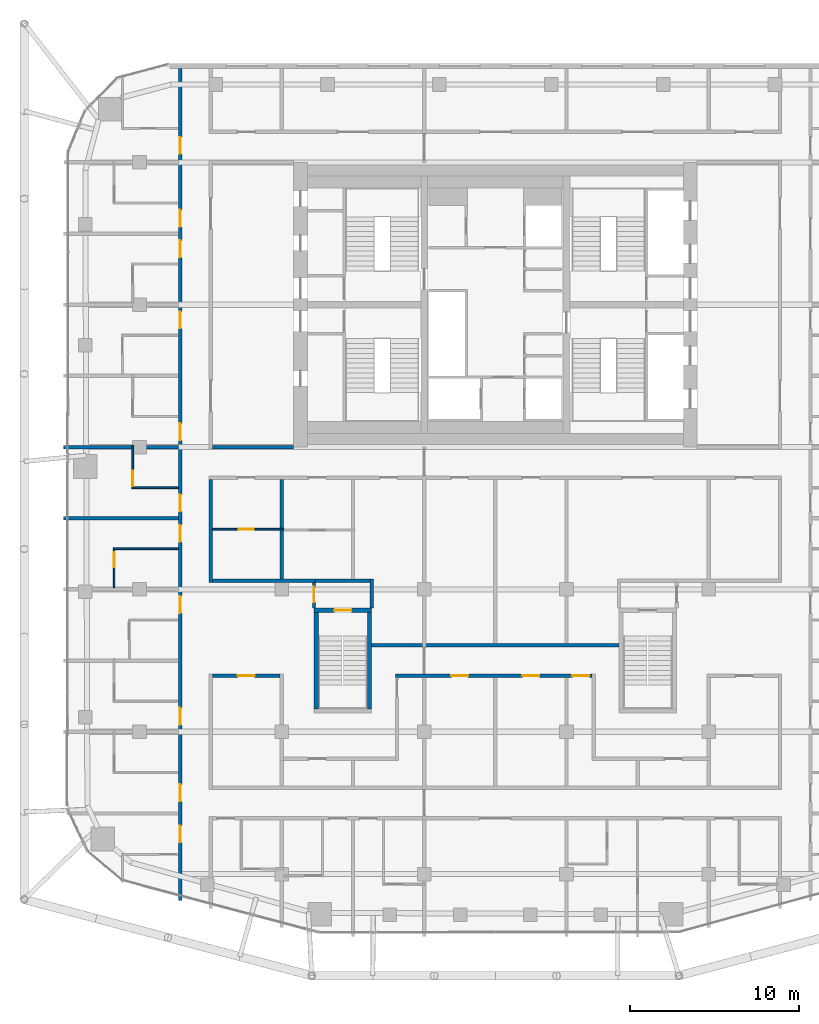
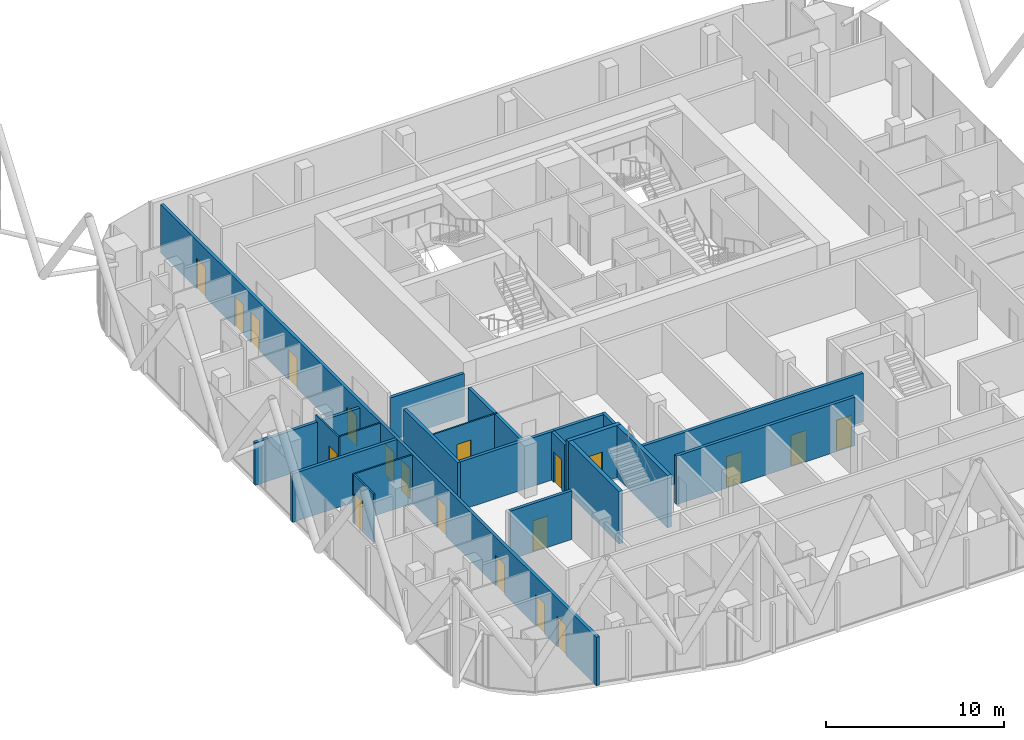
# One storey, part 24 of 31: 21 walls, 20 doors, 20 openings.
"""IFC4 building model written with IfcOpenShell, lengths in metres."""

from ifc_helpers import new_model, si_unit, direction, frame, frame_2d, origin, place, context, subcontext, project, spatial, rectangle, extrude, material, layer, layer_set, type_object, element, fill, save


model = new_model("IFC4")

# Units and contexts
model_context = context("Model", 3, precision=1e-05, world=origin(), true_north=direction((0.0, 1.0)))
body_context = subcontext(model_context, "Body", "Model", "MODEL_VIEW")
ifc_project = project(units=[si_unit("LENGTHUNIT", "METRE"), si_unit("AREAUNIT", "SQUARE_METRE"), si_unit("VOLUMEUNIT", "CUBIC_METRE"), si_unit("PLANEANGLEUNIT", "RADIAN"), si_unit("MASSUNIT", "GRAM", prefix="KILO")], contexts=[model_context])

# Site, building, storey
site_placement = place(None, origin())
site = spatial("IfcSite", under=ifc_project, at=site_placement, CompositionType="ELEMENT")
building_placement = place(site_placement, origin())
building = spatial("IfcBuilding", under=site, at=building_placement, Name="Marenta Gate Hotel Tower", CompositionType="ELEMENT")
storey_placement = place(building_placement, frame((0.0, 0.0, 191.300048828125)))
storey = spatial("IfcBuildingStorey", under=building, at=storey_placement, Name="L43", CompositionType="ELEMENT", Elevation=191.300048828125)

# Wall
ifc_material_1 = material(Name="Concrete blockwork", Category="masonry")
ifc_layer_1 = layer(ifc_material_1, 0.199951171875)
ifc_layer_set_1 = layer_set([ifc_layer_1], Name="Concrete blockwork")
wall_type_1 = type_object("IfcWallType", Name="Core boundary wall 200 REI 180", PredefinedType="PARTITIONING", material=ifc_layer_set_1)
wall_1_placement = place(storey_placement, frame((-16.699951171875, 0.0, 0.0), z_axis=(0.0, 0.0, 1.0), x_axis=(1.0, 0.0, 0.0)))
element("IfcWall", 1, at=wall_1_placement, inside=storey, type_object=wall_type_1, Name="L43-CP-EW-WS", PredefinedType="PARTITIONING", context=body_context, shape_type="SweptSolid", body=[
    extrude(rectangle(XDim=4.800048828125, YDim=0.199951171875, at=frame_2d((2.39990234375, 0.0))), origin(), (0.0, 0.0, 1.0), 2.93994140625),
])

# Wall, opening, door
ifc_material_2 = material(Name="Concrete C40", Category="concrete")
ifc_layer_2 = layer(ifc_material_2, 0.25)
ifc_layer_set_2 = layer_set([ifc_layer_2], Name="Concrete C40")
wall_type_2 = type_object("IfcWallType", Name="Remote stair enclosure wall 250 REI 180", PredefinedType="SHEAR", material=ifc_layer_set_2)
wall_2_placement = place(storey_placement, frame((-10.699951171875, -9.625, 0.099853515625), z_axis=(0.0, 0.0, 1.0), x_axis=(1.0, 0.0, 0.0)))
wall_2 = element("IfcWall", 2, at=wall_2_placement, inside=storey, type_object=wall_type_2, Name="L43-RS-Z3-1-W2", PredefinedType="SHEAR", context=body_context, shape_type="SweptSolid", body=[
    extrude(rectangle(XDim=3.39990234375, YDim=0.25, at=frame_2d((1.699951171875, 0.0))), origin(), (0.0, 0.0, 1.0), 3.60009765625),
])
opening_1_placement = place(wall_2_placement, frame((1.199951171875, 0.0, 0.0)))
opening_1 = element("IfcOpeningElement", 3, at=opening_1_placement, cuts=wall_2, Name="Opening VD", PredefinedType="OPENING", context=body_context, shape_type="SweptSolid", body=[
    extrude(rectangle(XDim=1.0, YDim=2.10009765625, at=frame_2d((0.5, 1.050048828125))), frame((0.0, 0.125, 0.0), z_axis=(0.0, -1.0, 0.0), x_axis=(1.0, 0.0, 0.0)), (0.0, 0.0, 1.0), 0.25),
])
ifc_material_3 = material(Name="Steel", Category="steel")
door_type_1 = type_object("IfcDoorType", Name="Stair vestibule door 1000x2100 FD60", OperationType="SINGLE_SWING_LEFT", PredefinedType="DOOR", material=ifc_material_3)
door_1_placement = place(opening_1_placement, origin())
door_1 = element("IfcDoor", 4, at=door_1_placement, inside=storey, type_object=door_type_1, Name="VD", OperationType="SINGLE_SWING_LEFT", OverallHeight=2.10009765625, OverallWidth=1.0, PredefinedType="DOOR", context=body_context, shape_type="SweptSolid", body=[
    extrude(rectangle(XDim=1.0, YDim=2.10009765625, at=frame_2d((0.5, 1.050048828125))), frame((0.0, 0.02490234375, 0.0), z_axis=(0.0, -1.0, 0.0), x_axis=(1.0, 0.0, 0.0)), (0.0, 0.0, 1.0), 0.050048828125),
])
fill(opening_1, door_1)

# Walls
for number, where, z_axis, x_axis, name in (
    (5, (-10.574951171875, -15.449951171875, 0.099853515625), (0.0, 0.0, 1.0), (0.0, 1.0, 0.0), "L43-RS-Z3-1-W3"),
    (6, (-7.425048828125, -15.449951171875, 0.099853515625), (0.0, 0.0, 1.0), (0.0, 1.0, 0.0), "L43-RS-Z3-1-W4"),
):
    element("IfcWall", number, at=place(storey_placement, frame(where, z_axis=z_axis, x_axis=x_axis)), inside=storey, type_object=wall_type_2, Name=name, PredefinedType="SHEAR", context=body_context, shape_type="SweptSolid", body=[
        extrude(rectangle(XDim=5.699951171875, YDim=0.25, at=frame_2d((2.85009765625, 0.0))), origin(), (0.0, 0.0, 1.0), 3.60009765625),
    ])
ifc_material_4 = material(Name="Concrete blockwork", Category="masonry")
ifc_layer_3 = layer(ifc_material_4, 0.199951171875)
ifc_layer_set_3 = layer_set([ifc_layer_3], Name="Concrete blockwork")
wall_type_3 = type_object("IfcWallType", Name="Room corridor wall 200 EI 120", PredefinedType="PARTITIONING", material=ifc_layer_set_3)
wall_3_placement = place(storey_placement, frame((-16.699951171875, -7.89990234375, 0.0), z_axis=(0.0, 0.0, 1.0), x_axis=(1.0, 0.0, 0.0)))
element("IfcWall", 7, at=wall_3_placement, inside=storey, type_object=wall_type_3, Name="L43-PTN-W053", PredefinedType="PARTITIONING", context=body_context, shape_type="SweptSolid", body=[
    extrude(rectangle(XDim=6.099853515625, YDim=0.199951171875, at=frame_2d((3.0498046875, 0.0))), origin(), (0.0, 0.0, 1.0), 3.33984375),
])

# Wall, opening, door
ifc_material_5 = material(Name="Gypsum board on steel stud", Category="steel")
ifc_layer_4 = layer(ifc_material_5, 0.199951171875)
ifc_layer_set_4 = layer_set([ifc_layer_4], Name="Gypsum board on steel stud")
wall_type_4 = type_object("IfcWallType", Name="Room corridor wall 200 EI 60", PredefinedType="PARTITIONING", material=ifc_layer_set_4)
wall_4_placement = place(storey_placement, frame((-16.699951171875, -13.5, 0.0), z_axis=(0.0, 0.0, 1.0), x_axis=(1.0, 0.0, 0.0)))
wall_4 = element("IfcWall", 8, at=wall_4_placement, inside=storey, type_object=wall_type_4, Name="L43-PTN-W035", PredefinedType="PARTITIONING", context=body_context, shape_type="SweptSolid", body=[
    extrude(rectangle(XDim=4.0, YDim=0.199951171875, at=frame_2d((2.0, 0.0))), origin(), (0.0, 0.0, 1.0), 3.33984375),
])
opening_2_placement = place(wall_4_placement, frame((1.5, 0.0, 0.0)))
opening_2 = element("IfcOpeningElement", 9, at=opening_2_placement, cuts=wall_4, Name="Opening G15-10", PredefinedType="OPENING", context=body_context, shape_type="SweptSolid", body=[
    extrude(rectangle(XDim=1.0, YDim=2.10009765625, at=frame_2d((0.5, 1.050048828125))), frame((0.0, 0.10009765625, 0.0), z_axis=(0.0, -1.0, 0.0), x_axis=(1.0, 0.0, 0.0)), (0.0, 0.0, 1.0), 0.199951171875),
])
ifc_material_6 = material(Name="Timber door leaf", Category="wood")
door_type_2 = type_object("IfcDoorType", Name="Room amenity door 1000x2100 EI 30", OperationType="NOTDEFINED", PredefinedType="DOOR", material=ifc_material_6)
door_2_placement = place(opening_2_placement, origin())
door_2 = element("IfcDoor", 10, at=door_2_placement, inside=storey, type_object=door_type_2, Name="L43-PD-D010", OperationType="SINGLE_SWING_RIGHT", OverallHeight=2.10009765625, OverallWidth=1.0, PredefinedType="DOOR", context=body_context, shape_type="SweptSolid", body=[
    extrude(rectangle(XDim=1.0, YDim=2.10009765625, at=frame_2d((0.5, 1.050048828125))), frame((0.0, 0.02490234375, 0.0), z_axis=(0.0, -1.0, 0.0), x_axis=(1.0, 0.0, 0.0)), (0.0, 0.0, 1.0), 0.050048828125),
])
fill(opening_2, door_2)

# Wall, openings, doors
wall_5_placement = place(storey_placement, frame((-5.89990234375, -13.5, 0.0), z_axis=(0.0, 0.0, 1.0), x_axis=(1.0, 0.0, 0.0)))
wall_5 = element("IfcWall", 11, at=wall_5_placement, inside=storey, type_object=wall_type_4, Name="L43-PTN-W036", PredefinedType="PARTITIONING", context=body_context, shape_type="SweptSolid", body=[
    extrude(rectangle(XDim=11.599853515625, YDim=0.199951171875, at=frame_2d((5.7998046875, 0.0))), origin(), (0.0, 0.0, 1.0), 3.33984375),
])
opening_3_placement = place(wall_5_placement, frame((3.300048828125, 0.0, 0.0)))
opening_3 = element("IfcOpeningElement", 12, at=opening_3_placement, cuts=wall_5, Name="Opening G15-13", PredefinedType="OPENING", context=body_context, shape_type="SweptSolid", body=[
    extrude(rectangle(XDim=1.0, YDim=2.10009765625, at=frame_2d((0.5, 1.050048828125))), frame((0.0, 0.10009765625, 0.0), z_axis=(0.0, -1.0, 0.0), x_axis=(1.0, 0.0, 0.0)), (0.0, 0.0, 1.0), 0.199951171875),
])
opening_4_placement = place(wall_5_placement, frame((7.5, 0.0, 0.0)))
opening_4 = element("IfcOpeningElement", 13, at=opening_4_placement, cuts=wall_5, Name="Opening G15-14", PredefinedType="OPENING", context=body_context, shape_type="SweptSolid", body=[
    extrude(rectangle(XDim=1.0, YDim=2.10009765625, at=frame_2d((0.5, 1.050048828125))), frame((0.0, 0.10009765625, 0.0), z_axis=(0.0, -1.0, 0.0), x_axis=(1.0, 0.0, 0.0)), (0.0, 0.0, 1.0), 0.199951171875),
])
opening_5_placement = place(wall_5_placement, frame((10.449951171875, 0.0, 0.0)))
opening_5 = element("IfcOpeningElement", 14, at=opening_5_placement, cuts=wall_5, Name="Opening G15-15", PredefinedType="OPENING", context=body_context, shape_type="SweptSolid", body=[
    extrude(rectangle(XDim=1.0, YDim=2.10009765625, at=frame_2d((0.5, 1.050048828125))), frame((0.0, 0.10009765625, 0.0), z_axis=(0.0, -1.0, 0.0), x_axis=(1.0, 0.0, 0.0)), (0.0, 0.0, 1.0), 0.199951171875),
])
door_3_placement = place(opening_3_placement, origin())
door_3 = element("IfcDoor", 15, at=door_3_placement, inside=storey, type_object=door_type_2, Name="L43-PD-D013", OperationType="SINGLE_SWING_LEFT", OverallHeight=2.10009765625, OverallWidth=1.0, PredefinedType="DOOR", context=body_context, shape_type="SweptSolid", body=[
    extrude(rectangle(XDim=1.0, YDim=2.10009765625, at=frame_2d((0.5, 1.050048828125))), frame((0.0, 0.02490234375, 0.0), z_axis=(0.0, -1.0, 0.0), x_axis=(1.0, 0.0, 0.0)), (0.0, 0.0, 1.0), 0.050048828125),
])
fill(opening_3, door_3)
door_4_placement = place(opening_4_placement, origin())
door_4 = element("IfcDoor", 16, at=door_4_placement, inside=storey, type_object=door_type_2, Name="L43-PD-D014", OperationType="SINGLE_SWING_RIGHT", OverallHeight=2.10009765625, OverallWidth=1.0, PredefinedType="DOOR", context=body_context, shape_type="SweptSolid", body=[
    extrude(rectangle(XDim=1.0, YDim=2.10009765625, at=frame_2d((0.5, 1.050048828125))), frame((0.0, 0.02490234375, 0.0), z_axis=(0.0, -1.0, 0.0), x_axis=(1.0, 0.0, 0.0)), (0.0, 0.0, 1.0), 0.050048828125),
])
fill(opening_4, door_4)
door_5_placement = place(opening_5_placement, origin())
door_5 = element("IfcDoor", 17, at=door_5_placement, inside=storey, type_object=door_type_2, Name="L43-PD-D015", OperationType="SINGLE_SWING_LEFT", OverallHeight=2.10009765625, OverallWidth=1.0, PredefinedType="DOOR", context=body_context, shape_type="SweptSolid", body=[
    extrude(rectangle(XDim=1.0, YDim=2.10009765625, at=frame_2d((0.5, 1.050048828125))), frame((0.0, 0.02490234375, 0.0), z_axis=(0.0, -1.0, 0.0), x_axis=(1.0, 0.0, 0.0)), (0.0, 0.0, 1.0), 0.050048828125),
])
fill(opening_5, door_5)

# Walls
wall_6_placement = place(storey_placement, frame((-7.300048828125, -11.699951171875, 0.0), z_axis=(0.0, 0.0, 1.0), x_axis=(1.0, 0.0, 0.0)))
element("IfcWall", 18, at=wall_6_placement, inside=storey, type_object=wall_type_4, Name="L43-PTN-W045", PredefinedType="PARTITIONING", context=body_context, shape_type="SweptSolid", body=[
    extrude(rectangle(XDim=14.60009765625, YDim=0.199951171875, at=frame_2d((7.300048828125, 0.0))), origin(), (0.0, 0.0, 1.0), 3.33984375),
])
wall_7_placement = place(storey_placement, frame((-16.800048828125, -8.0, 0.0), z_axis=(0.0, 0.0, 1.0), x_axis=(0.0, 1.0, 0.0)))
element("IfcWall", 19, at=wall_7_placement, inside=storey, type_object=wall_type_4, Name="L43-PTN-W108", PredefinedType="PARTITIONING", context=body_context, shape_type="SweptSolid", body=[
    extrude(rectangle(XDim=6.10009765625, YDim=0.199951171875, at=frame_2d((3.050048828125, 0.0))), origin(), (0.0, 0.0, 1.0), 3.33984375),
])

# Wall, openings, doors
wall_8_placement = place(storey_placement, frame((-18.60009765625, -26.7509765625, 0.0), z_axis=(0.0, 0.0, 1.0), x_axis=(0.0, 1.0, 0.0)))
wall_8 = element("IfcWall", 20, at=wall_8_placement, inside=storey, type_object=wall_type_4, Name="L43-PTN-W112", PredefinedType="PARTITIONING", context=body_context, shape_type="SweptSolid", body=[
    extrude(rectangle(XDim=49.091064453125, YDim=0.199951171875, at=frame_2d((24.54541015625, 0.0))), origin(), (0.0, 0.0, 1.0), 3.33984375),
])
opening_6_placement = place(wall_8_placement, frame((3.4130859375, 0.0, 0.0)))
opening_6 = element("IfcOpeningElement", 21, at=opening_6_placement, cuts=wall_8, Name="Opening G15-54", PredefinedType="OPENING", context=body_context, shape_type="SweptSolid", body=[
    extrude(rectangle(XDim=1.0, YDim=2.10009765625, at=frame_2d((0.5, 1.050048828125))), frame((0.0, 0.10009765625, 0.0), z_axis=(0.0, -1.0, 0.0), x_axis=(1.0, 0.0, 0.0)), (0.0, 0.0, 1.0), 0.199951171875),
])
opening_7_placement = place(wall_8_placement, frame((5.837890625, 0.0, 0.0)))
opening_7 = element("IfcOpeningElement", 22, at=opening_7_placement, cuts=wall_8, Name="Opening G15-56", PredefinedType="OPENING", context=body_context, shape_type="SweptSolid", body=[
    extrude(rectangle(XDim=1.0, YDim=2.10009765625, at=frame_2d((0.5, 1.050048828125))), frame((0.0, 0.10009765625, 0.0), z_axis=(0.0, -1.0, 0.0), x_axis=(1.0, 0.0, 0.0)), (0.0, 0.0, 1.0), 0.199951171875),
])
opening_8_placement = place(wall_8_placement, frame((10.35107421875, 0.0, 0.0)))
opening_8 = element("IfcOpeningElement", 23, at=opening_8_placement, cuts=wall_8, Name="Opening G15-58", PredefinedType="OPENING", context=body_context, shape_type="SweptSolid", body=[
    extrude(rectangle(XDim=1.0, YDim=2.10009765625, at=frame_2d((0.5, 1.050048828125))), frame((0.0, 0.10009765625, 0.0), z_axis=(0.0, -1.0, 0.0), x_axis=(1.0, 0.0, 0.0)), (0.0, 0.0, 1.0), 0.199951171875),
])
opening_9_placement = place(wall_8_placement, frame((16.950927734375, 0.0, 0.0)))
opening_9 = element("IfcOpeningElement", 24, at=opening_9_placement, cuts=wall_8, Name="Opening G15-60", PredefinedType="OPENING", context=body_context, shape_type="SweptSolid", body=[
    extrude(rectangle(XDim=1.0, YDim=2.10009765625, at=frame_2d((0.5, 1.050048828125))), frame((0.0, 0.10009765625, 0.0), z_axis=(0.0, -1.0, 0.0), x_axis=(1.0, 0.0, 0.0)), (0.0, 0.0, 1.0), 0.199951171875),
])
opening_10_placement = place(wall_8_placement, frame((21.15087890625, 0.0, 0.0)))
opening_10 = element("IfcOpeningElement", 25, at=opening_10_placement, cuts=wall_8, Name="Opening G15-62", PredefinedType="OPENING", context=body_context, shape_type="SweptSolid", body=[
    extrude(rectangle(XDim=1.0, YDim=2.10009765625, at=frame_2d((0.5, 1.050048828125))), frame((0.0, 0.10009765625, 0.0), z_axis=(0.0, -1.0, 0.0), x_axis=(1.0, 0.0, 0.0)), (0.0, 0.0, 1.0), 0.199951171875),
])
opening_11_placement = place(wall_8_placement, frame((22.950927734375, 0.0, 0.0)))
opening_11 = element("IfcOpeningElement", 26, at=opening_11_placement, cuts=wall_8, Name="Opening G15-64", PredefinedType="OPENING", context=body_context, shape_type="SweptSolid", body=[
    extrude(rectangle(XDim=1.0, YDim=2.10009765625, at=frame_2d((0.5, 1.050048828125))), frame((0.0, 0.10009765625, 0.0), z_axis=(0.0, -1.0, 0.0), x_axis=(1.0, 0.0, 0.0)), (0.0, 0.0, 1.0), 0.199951171875),
])
opening_12_placement = place(wall_8_placement, frame((27.15087890625, 0.0, 0.0)))
opening_12 = element("IfcOpeningElement", 27, at=opening_12_placement, cuts=wall_8, Name="Opening G15-66", PredefinedType="OPENING", context=body_context, shape_type="SweptSolid", body=[
    extrude(rectangle(XDim=1.0, YDim=2.10009765625, at=frame_2d((0.5, 1.050048828125))), frame((0.0, 0.10009765625, 0.0), z_axis=(0.0, -1.0, 0.0), x_axis=(1.0, 0.0, 0.0)), (0.0, 0.0, 1.0), 0.199951171875),
])
opening_13_placement = place(wall_8_placement, frame((33.7509765625, 0.0, 0.0)))
opening_13 = element("IfcOpeningElement", 28, at=opening_13_placement, cuts=wall_8, Name="Opening G15-68", PredefinedType="OPENING", context=body_context, shape_type="SweptSolid", body=[
    extrude(rectangle(XDim=1.0, YDim=2.10009765625, at=frame_2d((0.5, 1.050048828125))), frame((0.0, 0.10009765625, 0.0), z_axis=(0.0, -1.0, 0.0), x_axis=(1.0, 0.0, 0.0)), (0.0, 0.0, 1.0), 0.199951171875),
])
opening_14_placement = place(wall_8_placement, frame((37.950927734375, 0.0, 0.0)))
opening_14 = element("IfcOpeningElement", 29, at=opening_14_placement, cuts=wall_8, Name="Opening G15-70", PredefinedType="OPENING", context=body_context, shape_type="SweptSolid", body=[
    extrude(rectangle(XDim=1.0, YDim=2.10009765625, at=frame_2d((0.5, 1.050048828125))), frame((0.0, 0.10009765625, 0.0), z_axis=(0.0, -1.0, 0.0), x_axis=(1.0, 0.0, 0.0)), (0.0, 0.0, 1.0), 0.199951171875),
])
opening_15_placement = place(wall_8_placement, frame((39.7509765625, 0.0, 0.0)))
opening_15 = element("IfcOpeningElement", 30, at=opening_15_placement, cuts=wall_8, Name="Opening G15-72", PredefinedType="OPENING", context=body_context, shape_type="SweptSolid", body=[
    extrude(rectangle(XDim=1.0, YDim=2.10009765625, at=frame_2d((0.5, 1.050048828125))), frame((0.0, 0.10009765625, 0.0), z_axis=(0.0, -1.0, 0.0), x_axis=(1.0, 0.0, 0.0)), (0.0, 0.0, 1.0), 0.199951171875),
])
opening_16_placement = place(wall_8_placement, frame((44.051025390625, 0.0, 0.0)))
opening_16 = element("IfcOpeningElement", 31, at=opening_16_placement, cuts=wall_8, Name="Opening G15-74", PredefinedType="OPENING", context=body_context, shape_type="SweptSolid", body=[
    extrude(rectangle(XDim=1.0, YDim=2.10009765625, at=frame_2d((0.5, 1.050048828125))), frame((0.0, 0.10009765625, 0.0), z_axis=(0.0, -1.0, 0.0), x_axis=(1.0, 0.0, 0.0)), (0.0, 0.0, 1.0), 0.199951171875),
])
ifc_material_7 = material(Name="Timber door leaf", Category="wood")
door_type_3 = type_object("IfcDoorType", Name="Guest room door 1000x2100 EI 30", OperationType="NOTDEFINED", PredefinedType="DOOR", material=ifc_material_7)
door_6_placement = place(opening_6_placement, origin())
door_6 = element("IfcDoor", 32, at=door_6_placement, inside=storey, type_object=door_type_3, Name="L43-PD-D054", OperationType="SINGLE_SWING_LEFT", OverallHeight=2.10009765625, OverallWidth=1.0, PredefinedType="DOOR", context=body_context, shape_type="SweptSolid", body=[
    extrude(rectangle(XDim=1.0, YDim=2.10009765625, at=frame_2d((0.5, 1.050048828125))), frame((0.0, 0.02490234375, 0.0), z_axis=(0.0, -1.0, 0.0), x_axis=(1.0, 0.0, 0.0)), (0.0, 0.0, 1.0), 0.050048828125),
])
fill(opening_6, door_6)
door_7_placement = place(opening_7_placement, origin())
door_7 = element("IfcDoor", 33, at=door_7_placement, inside=storey, type_object=door_type_3, Name="L43-PD-D056", OperationType="SINGLE_SWING_LEFT", OverallHeight=2.10009765625, OverallWidth=1.0, PredefinedType="DOOR", context=body_context, shape_type="SweptSolid", body=[
    extrude(rectangle(XDim=1.0, YDim=2.10009765625, at=frame_2d((0.5, 1.050048828125))), frame((0.0, 0.02490234375, 0.0), z_axis=(0.0, -1.0, 0.0), x_axis=(1.0, 0.0, 0.0)), (0.0, 0.0, 1.0), 0.050048828125),
])
fill(opening_7, door_7)
door_8_placement = place(opening_8_placement, origin())
door_8 = element("IfcDoor", 34, at=door_8_placement, inside=storey, type_object=door_type_3, Name="L43-PD-D058", OperationType="SINGLE_SWING_LEFT", OverallHeight=2.10009765625, OverallWidth=1.0, PredefinedType="DOOR", context=body_context, shape_type="SweptSolid", body=[
    extrude(rectangle(XDim=1.0, YDim=2.10009765625, at=frame_2d((0.5, 1.050048828125))), frame((0.0, 0.02490234375, 0.0), z_axis=(0.0, -1.0, 0.0), x_axis=(1.0, 0.0, 0.0)), (0.0, 0.0, 1.0), 0.050048828125),
])
fill(opening_8, door_8)
door_9_placement = place(opening_9_placement, origin())
door_9 = element("IfcDoor", 35, at=door_9_placement, inside=storey, type_object=door_type_3, Name="L43-PD-D060", OperationType="SINGLE_SWING_LEFT", OverallHeight=2.10009765625, OverallWidth=1.0, PredefinedType="DOOR", context=body_context, shape_type="SweptSolid", body=[
    extrude(rectangle(XDim=1.0, YDim=2.10009765625, at=frame_2d((0.5, 1.050048828125))), frame((0.0, 0.02490234375, 0.0), z_axis=(0.0, -1.0, 0.0), x_axis=(1.0, 0.0, 0.0)), (0.0, 0.0, 1.0), 0.050048828125),
])
fill(opening_9, door_9)
door_10_placement = place(opening_10_placement, origin())
door_10 = element("IfcDoor", 36, at=door_10_placement, inside=storey, type_object=door_type_3, Name="L43-PD-D062", OperationType="SINGLE_SWING_LEFT", OverallHeight=2.10009765625, OverallWidth=1.0, PredefinedType="DOOR", context=body_context, shape_type="SweptSolid", body=[
    extrude(rectangle(XDim=1.0, YDim=2.10009765625, at=frame_2d((0.5, 1.050048828125))), frame((0.0, 0.02490234375, 0.0), z_axis=(0.0, -1.0, 0.0), x_axis=(1.0, 0.0, 0.0)), (0.0, 0.0, 1.0), 0.050048828125),
])
fill(opening_10, door_10)
door_11_placement = place(opening_11_placement, origin())
door_11 = element("IfcDoor", 37, at=door_11_placement, inside=storey, type_object=door_type_3, Name="L43-PD-D064", OperationType="SINGLE_SWING_LEFT", OverallHeight=2.10009765625, OverallWidth=1.0, PredefinedType="DOOR", context=body_context, shape_type="SweptSolid", body=[
    extrude(rectangle(XDim=1.0, YDim=2.10009765625, at=frame_2d((0.5, 1.050048828125))), frame((0.0, 0.02490234375, 0.0), z_axis=(0.0, -1.0, 0.0), x_axis=(1.0, 0.0, 0.0)), (0.0, 0.0, 1.0), 0.050048828125),
])
fill(opening_11, door_11)
door_12_placement = place(opening_12_placement, origin())
door_12 = element("IfcDoor", 38, at=door_12_placement, inside=storey, type_object=door_type_3, Name="L43-PD-D066", OperationType="SINGLE_SWING_LEFT", OverallHeight=2.10009765625, OverallWidth=1.0, PredefinedType="DOOR", context=body_context, shape_type="SweptSolid", body=[
    extrude(rectangle(XDim=1.0, YDim=2.10009765625, at=frame_2d((0.5, 1.050048828125))), frame((0.0, 0.02490234375, 0.0), z_axis=(0.0, -1.0, 0.0), x_axis=(1.0, 0.0, 0.0)), (0.0, 0.0, 1.0), 0.050048828125),
])
fill(opening_12, door_12)
door_13_placement = place(opening_13_placement, origin())
door_13 = element("IfcDoor", 39, at=door_13_placement, inside=storey, type_object=door_type_3, Name="L43-PD-D068", OperationType="SINGLE_SWING_LEFT", OverallHeight=2.10009765625, OverallWidth=1.0, PredefinedType="DOOR", context=body_context, shape_type="SweptSolid", body=[
    extrude(rectangle(XDim=1.0, YDim=2.10009765625, at=frame_2d((0.5, 1.050048828125))), frame((0.0, 0.02490234375, 0.0), z_axis=(0.0, -1.0, 0.0), x_axis=(1.0, 0.0, 0.0)), (0.0, 0.0, 1.0), 0.050048828125),
])
fill(opening_13, door_13)
door_14_placement = place(opening_14_placement, origin())
door_14 = element("IfcDoor", 40, at=door_14_placement, inside=storey, type_object=door_type_3, Name="L43-PD-D070", OperationType="SINGLE_SWING_LEFT", OverallHeight=2.10009765625, OverallWidth=1.0, PredefinedType="DOOR", context=body_context, shape_type="SweptSolid", body=[
    extrude(rectangle(XDim=1.0, YDim=2.10009765625, at=frame_2d((0.5, 1.050048828125))), frame((0.0, 0.02490234375, 0.0), z_axis=(0.0, -1.0, 0.0), x_axis=(1.0, 0.0, 0.0)), (0.0, 0.0, 1.0), 0.050048828125),
])
fill(opening_14, door_14)
door_15_placement = place(opening_15_placement, origin())
door_15 = element("IfcDoor", 41, at=door_15_placement, inside=storey, type_object=door_type_3, Name="L43-PD-D072", OperationType="SINGLE_SWING_LEFT", OverallHeight=2.10009765625, OverallWidth=1.0, PredefinedType="DOOR", context=body_context, shape_type="SweptSolid", body=[
    extrude(rectangle(XDim=1.0, YDim=2.10009765625, at=frame_2d((0.5, 1.050048828125))), frame((0.0, 0.02490234375, 0.0), z_axis=(0.0, -1.0, 0.0), x_axis=(1.0, 0.0, 0.0)), (0.0, 0.0, 1.0), 0.050048828125),
])
fill(opening_15, door_15)
door_16_placement = place(opening_16_placement, origin())
door_16 = element("IfcDoor", 42, at=door_16_placement, inside=storey, type_object=door_type_3, Name="L43-PD-D074", OperationType="SINGLE_SWING_LEFT", OverallHeight=2.10009765625, OverallWidth=1.0, PredefinedType="DOOR", context=body_context, shape_type="SweptSolid", body=[
    extrude(rectangle(XDim=1.0, YDim=2.10009765625, at=frame_2d((0.5, 1.050048828125))), frame((0.0, 0.02490234375, 0.0), z_axis=(0.0, -1.0, 0.0), x_axis=(1.0, 0.0, 0.0)), (0.0, 0.0, 1.0), 0.050048828125),
])
fill(opening_16, door_16)

# Wall, opening, door
ifc_material_8 = material(Name="Concrete blockwork", Category="masonry")
ifc_layer_5 = layer(ifc_material_8, 0.199951171875)
ifc_layer_set_5 = layer_set([ifc_layer_5], Name="Concrete blockwork")
wall_type_5 = type_object("IfcWallType", Name="Room corridor wall 200 REI 180", PredefinedType="PARTITIONING", material=ifc_layer_set_5)
wall_9_placement = place(storey_placement, frame((-10.699951171875, -9.5, 0.0), z_axis=(0.0, 0.0, 1.0), x_axis=(0.0, 1.0, 0.0)))
wall_9 = element("IfcWall", 43, at=wall_9_placement, inside=storey, type_object=wall_type_5, Name="L43-PTN-W096", PredefinedType="PARTITIONING", context=body_context, shape_type="SweptSolid", body=[
    extrude(rectangle(XDim=1.5, YDim=0.199951171875, at=frame_2d((0.75, 0.0))), origin(), (0.0, 0.0, 1.0), 3.33984375),
])
opening_17_placement = place(wall_9_placement, frame((0.35009765625, 0.0, 0.0)))
opening_17 = element("IfcOpeningElement", 44, at=opening_17_placement, cuts=wall_9, Name="Opening G15-76", PredefinedType="OPENING", context=body_context, shape_type="SweptSolid", body=[
    extrude(rectangle(XDim=0.89990234375, YDim=2.10009765625, at=frame_2d((0.449951171875, 1.050048828125))), frame((0.0, 0.10009765625, 0.0), z_axis=(0.0, -1.0, 0.0), x_axis=(1.0, 0.0, 0.0)), (0.0, 0.0, 1.0), 0.199951171875),
])
ifc_material_9 = material(Name="Hollow steel door set", Category="steel")
door_type_4 = type_object("IfcDoorType", Name="Stair vestibule door 900x2100 EI 60", OperationType="NOTDEFINED", PredefinedType="DOOR", material=ifc_material_9)
door_17_placement = place(opening_17_placement, origin())
door_17 = element("IfcDoor", 45, at=door_17_placement, inside=storey, type_object=door_type_4, Name="L43-PD-D076", OperationType="SINGLE_SWING_LEFT", OverallHeight=2.10009765625, OverallWidth=0.89990234375, PredefinedType="DOOR", context=body_context, shape_type="SweptSolid", body=[
    extrude(rectangle(XDim=0.89990234375, YDim=2.10009765625, at=frame_2d((0.449951171875, 1.050048828125))), frame((0.0, 0.02490234375, 0.0), z_axis=(0.0, -1.0, 0.0), x_axis=(1.0, 0.0, 0.0)), (0.0, 0.0, 1.0), 0.050048828125),
])
fill(opening_17, door_17)

# Wall
ifc_material_10 = material(Name="Gypsum board on steel stud", Category="steel")
ifc_layer_6 = layer(ifc_material_10, 0.10009765625)
ifc_layer_set_6 = layer_set([ifc_layer_6], Name="Gypsum board on steel stud")
wall_type_6 = type_object("IfcWallType", Name="Room partition 100", PredefinedType="PARTITIONING", material=ifc_layer_set_6)
wall_10_placement = place(storey_placement, frame((-22.550048828125, -6.0, 0.0), z_axis=(0.0, 0.0, 1.0), x_axis=(1.0, 0.0, 0.0)))
element("IfcWall", 46, at=wall_10_placement, inside=storey, type_object=wall_type_6, Name="L43-PTN-W059", PredefinedType="PARTITIONING", context=body_context, shape_type="SweptSolid", body=[
    extrude(rectangle(XDim=3.85009765625, YDim=0.10009765625, at=frame_2d((1.925048828125, 0.0))), origin(), (0.0, 0.0, 1.0), 3.33984375),
])

# Wall, opening, door
wall_11_placement = place(storey_placement, frame((-16.699951171875, -4.85009765625, 0.0), z_axis=(0.0, 0.0, 1.0), x_axis=(1.0, 0.0, 0.0)))
wall_11 = element("IfcWall", 47, at=wall_11_placement, inside=storey, type_object=wall_type_6, Name="L43-PTN-W063", PredefinedType="PARTITIONING", context=body_context, shape_type="SweptSolid", body=[
    extrude(rectangle(XDim=4.199951171875, YDim=0.10009765625, at=frame_2d((2.10009765625, 0.0))), origin(), (0.0, 0.0, 1.0), 3.33984375),
])
opening_18_placement = place(wall_11_placement, frame((1.550048828125, 0.0, 0.0)))
opening_18 = element("IfcOpeningElement", 48, at=opening_18_placement, cuts=wall_11, Name="Opening G15-02", PredefinedType="OPENING", context=body_context, shape_type="SweptSolid", body=[
    extrude(rectangle(XDim=0.89990234375, YDim=2.10009765625, at=frame_2d((0.449951171875, 1.050048828125))), frame((0.0, 0.050048828125, 0.0), z_axis=(0.0, -1.0, 0.0), x_axis=(1.0, 0.0, 0.0)), (0.0, 0.0, 1.0), 0.10009765625),
])
ifc_material_11 = material(Name="Timber door leaf", Category="wood")
door_type_5 = type_object("IfcDoorType", Name="Room inner door 900x2100", OperationType="NOTDEFINED", PredefinedType="DOOR", material=ifc_material_11)
door_18_placement = place(opening_18_placement, origin())
door_18 = element("IfcDoor", 49, at=door_18_placement, inside=storey, type_object=door_type_5, Name="L43-PD-D002", OperationType="SINGLE_SWING_RIGHT", OverallHeight=2.10009765625, OverallWidth=0.89990234375, PredefinedType="DOOR", context=body_context, shape_type="SweptSolid", body=[
    extrude(rectangle(XDim=0.89990234375, YDim=2.10009765625, at=frame_2d((0.449951171875, 1.050048828125))), frame((0.0, 0.02490234375, 0.0), z_axis=(0.0, -1.0, 0.0), x_axis=(1.0, 0.0, 0.0)), (0.0, 0.0, 1.0), 0.050048828125),
])
fill(opening_18, door_18)

# Wall
wall_12_placement = place(storey_placement, frame((-21.35009765625, -2.39990234375, 0.0), z_axis=(0.0, 0.0, 1.0), x_axis=(1.0, 0.0, 0.0)))
element("IfcWall", 50, at=wall_12_placement, inside=storey, type_object=wall_type_6, Name="L43-PTN-W070", PredefinedType="PARTITIONING", context=body_context, shape_type="SweptSolid", body=[
    extrude(rectangle(XDim=2.650146484375, YDim=0.10009765625, at=frame_2d((1.3251953125, 0.0))), origin(), (0.0, 0.0, 1.0), 3.33984375),
])

# Wall, opening, door
wall_13_placement = place(storey_placement, frame((-21.39990234375, -2.449951171875, 0.0), z_axis=(0.0, 0.0, 1.0), x_axis=(0.0, 1.0, 0.0)))
wall_13 = element("IfcWall", 51, at=wall_13_placement, inside=storey, type_object=wall_type_6, Name="L43-PTN-W116", PredefinedType="PARTITIONING", context=body_context, shape_type="SweptSolid", body=[
    extrude(rectangle(XDim=2.550048828125, YDim=0.10009765625, at=frame_2d((1.27490234375, 0.0))), origin(), (0.0, 0.0, 1.0), 3.33984375),
])
opening_19_placement = place(wall_13_placement, frame((0.14990234375, 0.0, 0.0)))
opening_19 = element("IfcOpeningElement", 52, at=opening_19_placement, cuts=wall_13, Name="Opening G15-65", PredefinedType="OPENING", context=body_context, shape_type="SweptSolid", body=[
    extrude(rectangle(XDim=0.89990234375, YDim=2.10009765625, at=frame_2d((0.449951171875, 1.050048828125))), frame((0.0, 0.050048828125, 0.0), z_axis=(0.0, -1.0, 0.0), x_axis=(1.0, 0.0, 0.0)), (0.0, 0.0, 1.0), 0.10009765625),
])
ifc_material_12 = material(Name="Timber door leaf", Category="wood")
door_type_6 = type_object("IfcDoorType", Name="Guest bathroom door 900x2100", OperationType="NOTDEFINED", PredefinedType="DOOR", material=ifc_material_12)
door_19_placement = place(opening_19_placement, origin())
door_19 = element("IfcDoor", 53, at=door_19_placement, inside=storey, type_object=door_type_6, Name="L43-PD-D065", OperationType="SINGLE_SWING_RIGHT", OverallHeight=2.10009765625, OverallWidth=0.89990234375, PredefinedType="DOOR", context=body_context, shape_type="SweptSolid", body=[
    extrude(rectangle(XDim=0.89990234375, YDim=2.10009765625, at=frame_2d((0.449951171875, 1.050048828125))), frame((0.0, 0.02490234375, 0.0), z_axis=(0.0, -1.0, 0.0), x_axis=(1.0, 0.0, 0.0)), (0.0, 0.0, 1.0), 0.050048828125),
])
fill(opening_19, door_19)

wall_14_placement = place(storey_placement, frame((-22.5, -8.300048828125, 0.0), z_axis=(0.0, 0.0, 1.0), x_axis=(0.0, 1.0, 0.0)))
wall_14 = element("IfcWall", 54, at=wall_14_placement, inside=storey, type_object=wall_type_6, Name="L43-PTN-W125", PredefinedType="PARTITIONING", context=body_context, shape_type="SweptSolid", body=[
    extrude(rectangle(XDim=2.25, YDim=0.10009765625, at=frame_2d((1.125, 0.0))), origin(), (0.0, 0.0, 1.0), 3.33984375),
])
opening_20_placement = place(wall_14_placement, frame((1.199951171875, 0.0, 0.0)))
opening_20 = element("IfcOpeningElement", 55, at=opening_20_placement, cuts=wall_14, Name="Opening G15-63", PredefinedType="OPENING", context=body_context, shape_type="SweptSolid", body=[
    extrude(rectangle(XDim=0.89990234375, YDim=2.10009765625, at=frame_2d((0.449951171875, 1.050048828125))), frame((0.0, 0.050048828125, 0.0), z_axis=(0.0, -1.0, 0.0), x_axis=(1.0, 0.0, 0.0)), (0.0, 0.0, 1.0), 0.10009765625),
])
door_20_placement = place(opening_20_placement, origin())
door_20 = element("IfcDoor", 56, at=door_20_placement, inside=storey, type_object=door_type_6, Name="L43-PD-D063", OperationType="SINGLE_SWING_LEFT", OverallHeight=2.10009765625, OverallWidth=0.89990234375, PredefinedType="DOOR", context=body_context, shape_type="SweptSolid", body=[
    extrude(rectangle(XDim=0.89990234375, YDim=2.10009765625, at=frame_2d((0.449951171875, 1.050048828125))), frame((0.0, 0.02490234375, 0.0), z_axis=(0.0, -1.0, 0.0), x_axis=(1.0, 0.0, 0.0)), (0.0, 0.0, 1.0), 0.050048828125),
])
fill(opening_20, door_20)

# Walls
ifc_material_13 = material(Name="Concrete blockwork", Category="masonry")
ifc_layer_7 = layer(ifc_material_13, 0.199951171875)
ifc_layer_set_7 = layer_set([ifc_layer_7], Name="Concrete blockwork")
wall_type_7 = type_object("IfcWallType", Name="Room party wall 200 EI 120", PredefinedType="PARTITIONING", material=ifc_layer_set_7)
wall_15_placement = place(storey_placement, frame((-12.60009765625, -7.800048828125, 0.0), z_axis=(0.0, 0.0, 1.0), x_axis=(0.0, 1.0, 0.0)))
element("IfcWall", 57, at=wall_15_placement, inside=storey, type_object=wall_type_7, Name="L43-PTN-W100", PredefinedType="PARTITIONING", context=body_context, shape_type="SweptSolid", body=[
    extrude(rectangle(XDim=5.900146484375, YDim=0.199951171875, at=frame_2d((2.9501953125, 0.0))), origin(), (0.0, 0.0, 1.0), 3.33984375),
])
ifc_material_14 = material(Name="Gypsum board on steel stud", Category="steel")
ifc_layer_8 = layer(ifc_material_14, 0.199951171875)
ifc_layer_set_8 = layer_set([ifc_layer_8], Name="Gypsum board on steel stud")
wall_type_8 = type_object("IfcWallType", Name="Room party wall 200 EI 60", PredefinedType="PARTITIONING", material=ifc_layer_set_8)
wall_16_placement = place(storey_placement, frame((-25.5, -4.199951171875, 0.0), z_axis=(0.0, 0.0, 1.0), x_axis=(1.0, 0.0, 0.0)))
element("IfcWall", 58, at=wall_16_placement, inside=storey, type_object=wall_type_8, Name="L43-PTN-W068", PredefinedType="PARTITIONING", context=body_context, shape_type="SweptSolid", body=[
    extrude(rectangle(XDim=6.800048828125, YDim=0.199951171875, at=frame_2d((3.39990234375, 0.0))), origin(), (0.0, 0.0, 1.0), 3.33984375),
])
wall_17_placement = place(storey_placement, frame((-25.5, 0.0, 0.0), z_axis=(0.0, 0.0, 1.0), x_axis=(1.0, 0.0, 0.0)))
element("IfcWall", 59, at=wall_17_placement, inside=storey, type_object=wall_type_8, Name="L43-PTN-W075", PredefinedType="PARTITIONING", context=body_context, shape_type="SweptSolid", body=[
    extrude(rectangle(XDim=6.800048828125, YDim=0.199951171875, at=frame_2d((3.39990234375, 0.0))), origin(), (0.0, 0.0, 1.0), 2.93994140625),
])
ifc_material_15 = material(Name="Concrete blockwork", Category="masonry")
ifc_layer_9 = layer(ifc_material_15, 0.199951171875)
ifc_layer_set_9 = layer_set([ifc_layer_9], Name="Concrete blockwork")
wall_type_9 = type_object("IfcWallType", Name="Room party wall 200 REI 180", PredefinedType="PARTITIONING", material=ifc_layer_set_9)
wall_18_placement = place(storey_placement, frame((-10.60009765625, -7.89990234375, 0.0), z_axis=(0.0, 0.0, 1.0), x_axis=(1.0, 0.0, 0.0)))
element("IfcWall", 60, at=wall_18_placement, inside=storey, type_object=wall_type_9, Name="L43-PTN-W055", PredefinedType="PARTITIONING", context=body_context, shape_type="SweptSolid", body=[
    extrude(rectangle(XDim=3.2001953125, YDim=0.199951171875, at=frame_2d((1.60009765625, 0.0))), origin(), (0.0, 0.0, 1.0), 3.33984375),
])
wall_19_placement = place(storey_placement, frame((-7.300048828125, -9.5, 0.0), z_axis=(0.0, 0.0, 1.0), x_axis=(0.0, 1.0, 0.0)))
element("IfcWall", 61, at=wall_19_placement, inside=storey, type_object=wall_type_9, Name="L43-PTN-W089", PredefinedType="PARTITIONING", context=body_context, shape_type="SweptSolid", body=[
    extrude(rectangle(XDim=1.699951171875, YDim=0.199951171875, at=frame_2d((0.85009765625, 0.0))), origin(), (0.0, 0.0, 1.0), 3.33984375),
])

save(model, "model.ifc")
